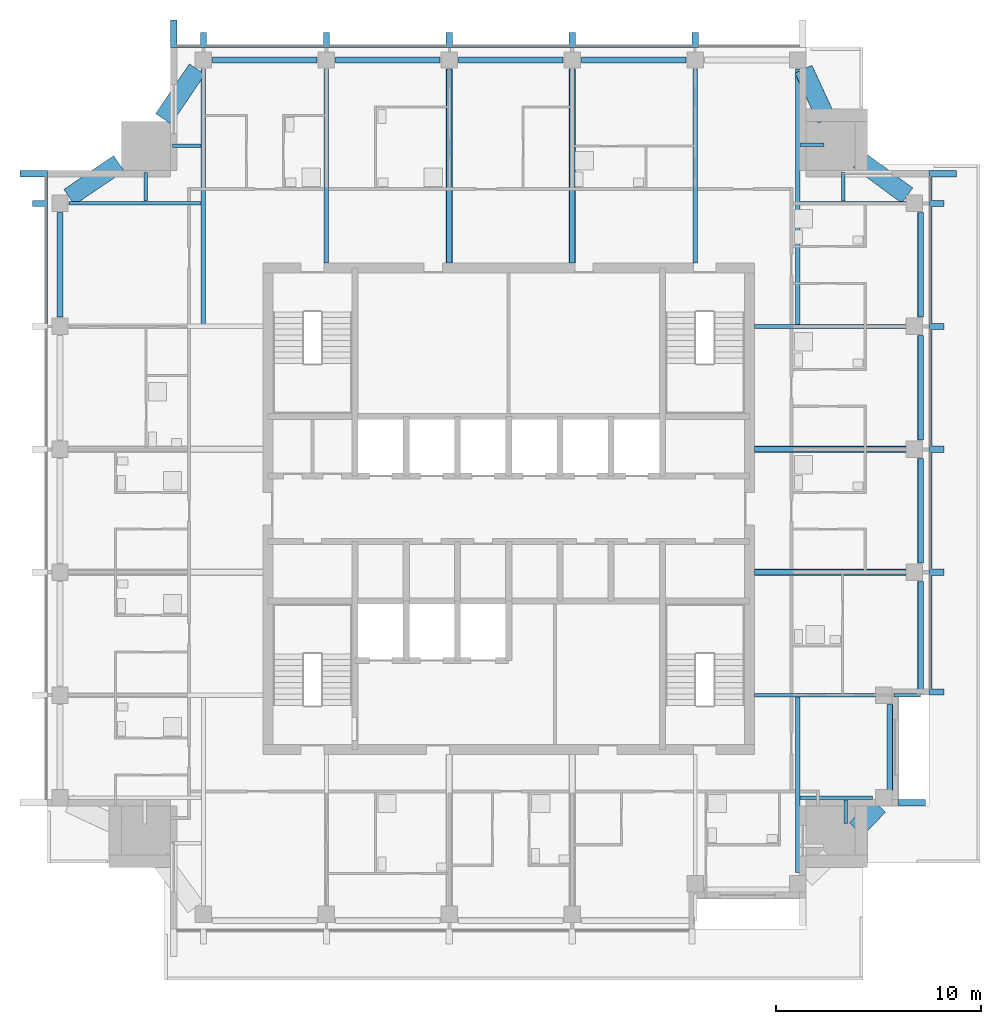
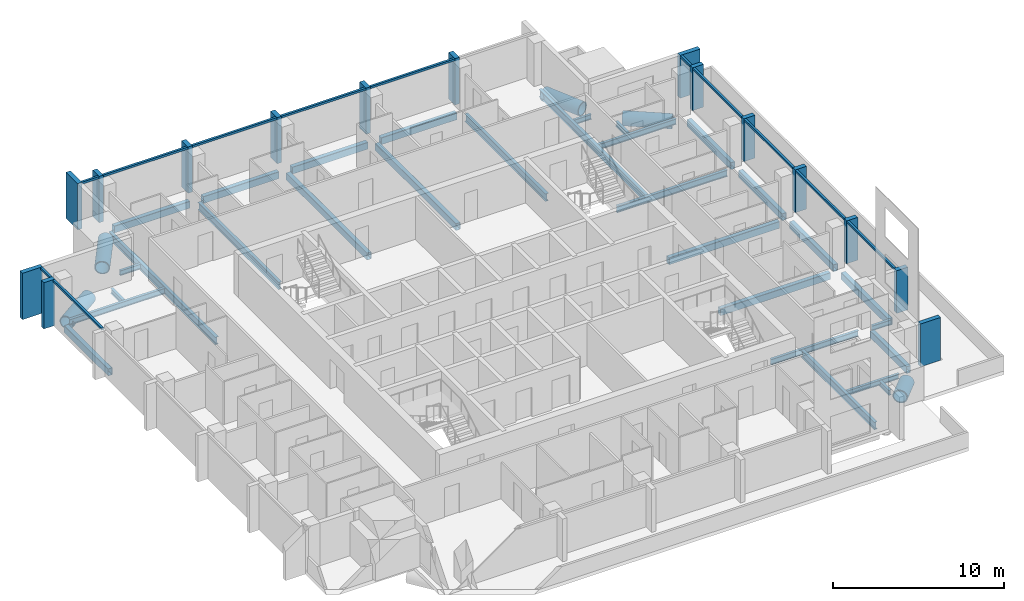
# One storey, part 2 of 11: 35 beams, 27 members, 3 elements without a shape of their own.
"""IFC4 building model written with IfcOpenShell, lengths in metres."""

from ifc_helpers import new_model, si_unit, direction, frame, origin, origin_2d, place, context, subcontext, project, spatial, rectangle, hollow_rectangle, hollow_circle, i_section, extrude, material, material_profile, profile_set, type_object, element, aggregate, save


model = new_model("IFC4")

# Units and contexts
model_context = context("Model", 3, precision=1e-05, world=origin(), true_north=direction((0.0, 1.0)))
body_context = subcontext(model_context, "Body", "Model", "MODEL_VIEW")
ifc_project = project(units=[si_unit("LENGTHUNIT", "METRE"), si_unit("AREAUNIT", "SQUARE_METRE"), si_unit("VOLUMEUNIT", "CUBIC_METRE"), si_unit("PLANEANGLEUNIT", "RADIAN"), si_unit("MASSUNIT", "GRAM", prefix="KILO")], contexts=[model_context])

# Site, building, storey
site_placement = place(None, origin())
site = spatial("IfcSite", under=ifc_project, at=site_placement, CompositionType="ELEMENT")
building_placement = place(site_placement, origin())
building = spatial("IfcBuilding", under=site, at=building_placement, Name="Amberfall Residences", CompositionType="ELEMENT")
storey_placement = place(building_placement, frame((0.0, 0.0, 238.89990234375)))
storey = spatial("IfcBuildingStorey", under=building, at=storey_placement, Name="L63", CompositionType="ELEMENT", Elevation=238.89990234375)

# Beams
ifc_material_1 = material(Name="Steel S355", Category="steel")
ifc_material_profile_1 = material_profile(ifc_material_1, hollow_circle(Radius=0.457275390625, WallThickness=0.06005859375, at=origin_2d()), Name="CHS 914.4x60")
ifc_profile_set_1 = profile_set([ifc_material_profile_1], Name="Steel S355")
beam_type_1 = type_object("IfcBeamType", Name="Belt truss chord BT CHS 914.4x60", PredefinedType="BEAM", material=ifc_profile_set_1)
beam_1_placement = place(storey_placement, frame((91.451904296875, 29.853759765625, -0.70703125), z_axis=(0.693888908821, 0.720082066306, 0.0), x_axis=(-0.720082066306, 0.693888908821, 0.0)))
element("IfcBeam", 1, at=beam_1_placement, inside=storey, type_object=beam_type_1, Name="Belt truss chord BT BT2 L63 50", PredefinedType="BEAM", context=body_context, shape_type="SweptSolid", body=[
    extrude(hollow_circle(Radius=0.457275390625, WallThickness=0.06005859375, at=origin_2d()), origin(), (0.0, 0.0, 1.0), 1.59375),
])
beam_2_placement = place(storey_placement, frame((90.016357421875, 64.502197265625, -0.70703125), z_axis=(-0.419850213165, 0.907593410347, 0.0), x_axis=(-0.907593410347, -0.419850213165, 0.0)))
element("IfcBeam", 2, at=beam_2_placement, inside=storey, type_object=beam_type_1, Name="Belt truss chord BT BT2 L63 51", PredefinedType="BEAM", context=body_context, shape_type="SweptSolid", body=[
    extrude(hollow_circle(Radius=0.457275390625, WallThickness=0.06005859375, at=origin_2d()), origin(), (0.0, 0.0, 1.0), 2.697021484375),
])
beam_3_placement = place(storey_placement, frame((91.593505859375, 62.517578125, -0.70703125), z_axis=(0.805353478169, -0.592794884594, 0.0), x_axis=(0.592794884594, 0.805353478169, 0.0)))
element("IfcBeam", 3, at=beam_3_placement, inside=storey, type_object=beam_type_1, Name="Belt truss chord BT BT2 L63 52", PredefinedType="BEAM", context=body_context, shape_type="SweptSolid", body=[
    extrude(hollow_circle(Radius=0.457275390625, WallThickness=0.06005859375, at=origin_2d()), origin(), (0.0, 0.0, 1.0), 2.926513671875),
])
for number, where, z_axis, x_axis, name in (
    (4, (57.64697265625, 64.520263671875, -0.70703125), (0.561322450198, 0.827597188796, 0.0), (-0.827597188796, 0.561322450198, 0.0), "Belt truss chord BT BT2 L63 53"),
    (5, (55.479736328125, 62.35302734375, -0.70703125), (-0.827597188796, -0.561322450198, 0.0), (0.561322450198, -0.827597188796, 0.0), "Belt truss chord BT BT2 L63 54"),
):
    element("IfcBeam", number, at=place(storey_placement, frame(where, z_axis=z_axis, x_axis=x_axis)), inside=storey, type_object=beam_type_1, Name=name, PredefinedType="BEAM", context=body_context, shape_type="SweptSolid", body=[
        extrude(hollow_circle(Radius=0.457275390625, WallThickness=0.06005859375, at=origin_2d()), origin(), (0.0, 0.0, 1.0), 2.935791015625),
    ])
ifc_material_profile_2 = material_profile(ifc_material_1, hollow_rectangle(XDim=0.300048828125, YDim=0.5, WallThickness=0.01611328125, InnerFilletRadius=0.01611328125, OuterFilletRadius=0.02392578125, at=origin_2d()), Name="RHS 500x300x16")
ifc_profile_set_2 = profile_set([ifc_material_profile_2], Name="Steel S355")
beam_type_2 = type_object("IfcBeamType", Name="Belt truss chord BT RHS 500x300x16", PredefinedType="BEAM", material=ifc_profile_set_2)
beam_4_placement = place(storey_placement, frame((93.10009765625, 31.737548828125, -0.5), z_axis=(0.0, 1.0, 0.0), x_axis=(-1.0, 0.0, 0.0)))
element("IfcBeam", 6, at=beam_4_placement, inside=storey, type_object=beam_type_2, Name="Belt truss chord BT BT1 L63 13", PredefinedType="BEAM", context=body_context, shape_type="SweptSolid", body=[
    extrude(hollow_rectangle(XDim=0.300048828125, YDim=0.5, WallThickness=0.01611328125, InnerFilletRadius=0.01611328125, OuterFilletRadius=0.02392578125, at=origin_2d()), origin(), (0.0, 0.0, 1.0), 4.21240234375),
])
beam_5_placement = place(storey_placement, frame((94.60009765625, 36.47998046875, -0.5), z_axis=(0.0, 1.0, 0.0), x_axis=(-1.0, 0.0, 0.0)))
element("IfcBeam", 7, at=beam_5_placement, inside=storey, type_object=beam_type_2, Name="Belt truss chord BT BT1 L63 14", PredefinedType="BEAM", context=body_context, shape_type="SweptSolid", body=[
    extrude(hollow_rectangle(XDim=0.300048828125, YDim=0.5, WallThickness=0.01611328125, InnerFilletRadius=0.01611328125, OuterFilletRadius=0.02392578125, at=origin_2d()), origin(), (0.0, 0.0, 1.0), 5.469970703125),
])
for number, where, z_axis, x_axis, name in (
    (8, (94.60009765625, 42.85009765625, -0.5), (0.0, 1.0, 0.0), (-1.0, 0.0, 0.0), "Belt truss chord BT BT1 L63 15"),
    (9, (94.60009765625, 48.85009765625, -0.5), (0.0, 1.0, 0.0), (-1.0, 0.0, 0.0), "Belt truss chord BT BT1 L63 16"),
    (10, (94.60009765625, 54.85009765625, -0.5), (0.0, 1.0, 0.0), (-1.0, 0.0, 0.0), "Belt truss chord BT BT1 L63 17"),
    (11, (60.050048828125, 67.39990234375, -0.5), (1.0, 0.0, 0.0), (0.0, 1.0, 0.0), "Belt truss chord BT BT1 L63 25"),
    (12, (66.050048828125, 67.39990234375, -0.5), (1.0, 0.0, 0.0), (0.0, 1.0, 0.0), "Belt truss chord BT BT1 L63 26"),
    (13, (72.050048828125, 67.39990234375, -0.5), (1.0, 0.0, 0.0), (0.0, 1.0, 0.0), "Belt truss chord BT BT1 L63 27"),
    (14, (78.050048828125, 67.39990234375, -0.5), (1.0, 0.0, 0.0), (0.0, 1.0, 0.0), "Belt truss chord BT BT1 L63 28"),
    (15, (52.60009765625, 54.85009765625, -0.5), (0.0, 1.0, 0.0), (-1.0, 0.0, 0.0), "Belt truss chord BT BT1 L63 40"),
):
    element("IfcBeam", number, at=place(storey_placement, frame(where, z_axis=z_axis, x_axis=x_axis)), inside=storey, type_object=beam_type_2, Name=name, PredefinedType="BEAM", context=body_context, shape_type="SweptSolid", body=[
        extrude(hollow_rectangle(XDim=0.300048828125, YDim=0.5, WallThickness=0.01611328125, InnerFilletRadius=0.01611328125, OuterFilletRadius=0.02392578125, at=origin_2d()), origin(), (0.0, 0.0, 1.0), 5.099853515625),
    ])

# Curtain wall, members
ifc_material_2 = material(Name="Bronze anodised aluminium and glass", Category="aluminium")
curtain_wall_type = type_object("IfcCurtainWallType", Name="Curtain wall CW1 tower unit", PredefinedType="USERDEFINED", material=ifc_material_2)
curtain_wall_1_placement = place(storey_placement, origin())
curtain_wall_1 = element("IfcCurtainWall", 16, at=curtain_wall_1_placement, inside=storey, type_object=curtain_wall_type, Name="Curtain wall L63 E E3", ObjectType="UNITISED CURTAIN WALL", PredefinedType="USERDEFINED")
ifc_material_3 = material(Name="Bronze anodised aluminium", Category="aluminium")
ifc_material_profile_3 = material_profile(ifc_material_3, rectangle(XDim=0.14990234375, YDim=0.14990234375, at=origin_2d()), Name="CW1 transom 150 x 150 bronze")
ifc_profile_set_3 = profile_set([ifc_material_profile_3], Name="Bronze anodised aluminium")
member_type_1 = type_object("IfcMemberType", Name="CW1 transom 150 x 150 bronze", PredefinedType="USERDEFINED", material=ifc_profile_set_3)
member_1_placement = place(storey_placement, frame((95.074951171875, 36.699951171875, 2.97509765625), z_axis=(0.0, 1.0, 0.0), x_axis=(-1.0, 0.0, 0.0)))
member_1 = element("IfcMember", 17, at=member_1_placement, type_object=member_type_1, Name="CW1 transom 1.1", ObjectType="TRANSOM", PredefinedType="USERDEFINED", context=body_context, shape_type="SweptSolid", body=[
    extrude(rectangle(XDim=0.14990234375, YDim=0.14990234375, at=origin_2d()), origin(), (0.0, 0.0, 1.0), 5.550048828125),
])
member_2_placement = place(storey_placement, frame((95.074951171875, 42.550048828125, 2.97509765625), z_axis=(0.0, 1.0, 0.0), x_axis=(-1.0, 0.0, 0.0)))
member_2 = element("IfcMember", 18, at=member_2_placement, type_object=member_type_1, Name="CW1 transom 2.1", ObjectType="TRANSOM", PredefinedType="USERDEFINED", context=body_context, shape_type="SweptSolid", body=[
    extrude(rectangle(XDim=0.14990234375, YDim=0.14990234375, at=origin_2d()), origin(), (0.0, 0.0, 1.0), 5.699951171875),
])
member_3_placement = place(storey_placement, frame((95.074951171875, 48.550048828125, 2.97509765625), z_axis=(0.0, 1.0, 0.0), x_axis=(-1.0, 0.0, 0.0)))
member_3 = element("IfcMember", 19, at=member_3_placement, type_object=member_type_1, Name="CW1 transom 3.1", ObjectType="TRANSOM", PredefinedType="USERDEFINED", context=body_context, shape_type="SweptSolid", body=[
    extrude(rectangle(XDim=0.14990234375, YDim=0.14990234375, at=origin_2d()), origin(), (0.0, 0.0, 1.0), 5.699951171875),
])
member_4_placement = place(storey_placement, frame((95.074951171875, 54.550048828125, 2.97509765625), z_axis=(0.0, 1.0, 0.0), x_axis=(-1.0, 0.0, 0.0)))
member_4 = element("IfcMember", 20, at=member_4_placement, type_object=member_type_1, Name="CW1 transom 4.1", ObjectType="TRANSOM", PredefinedType="USERDEFINED", context=body_context, shape_type="SweptSolid", body=[
    extrude(rectangle(XDim=0.14990234375, YDim=0.14990234375, at=origin_2d()), origin(), (0.0, 0.0, 1.0), 5.699951171875),
])
member_5_placement = place(storey_placement, frame((95.074951171875, 60.550048828125, 2.97509765625), z_axis=(0.0, 1.0, 0.0), x_axis=(-1.0, 0.0, 0.0)))
member_5 = element("IfcMember", 21, at=member_5_placement, type_object=member_type_1, Name="CW1 transom 5.1", ObjectType="TRANSOM", PredefinedType="USERDEFINED", context=body_context, shape_type="SweptSolid", body=[
    extrude(rectangle(XDim=0.14990234375, YDim=0.14990234375, at=origin_2d()), origin(), (0.0, 0.0, 1.0), 1.14990234375),
])

curtain_wall_2_placement = place(storey_placement, origin())
curtain_wall_2 = element("IfcCurtainWall", 22, at=curtain_wall_2_placement, inside=storey, type_object=curtain_wall_type, Name="Curtain wall L63 N N1", ObjectType="UNITISED CURTAIN WALL", PredefinedType="USERDEFINED")
member_6_placement = place(storey_placement, frame((83.449951171875, 68.074951171875, 2.97509765625), z_axis=(-1.0, 0.0, 0.0), x_axis=(0.0, -1.0, 0.0)))
member_6 = element("IfcMember", 23, at=member_6_placement, type_object=member_type_1, Name="CW1 transom 2.1", ObjectType="TRANSOM", PredefinedType="USERDEFINED", context=body_context, shape_type="SweptSolid", body=[
    extrude(rectangle(XDim=0.14990234375, YDim=0.14990234375, at=origin_2d()), origin(), (0.0, 0.0, 1.0), 5.699951171875),
])
member_7_placement = place(storey_placement, frame((77.449951171875, 68.074951171875, 2.97509765625), z_axis=(-1.0, 0.0, 0.0), x_axis=(0.0, -1.0, 0.0)))
member_7 = element("IfcMember", 24, at=member_7_placement, type_object=member_type_1, Name="CW1 transom 3.1", ObjectType="TRANSOM", PredefinedType="USERDEFINED", context=body_context, shape_type="SweptSolid", body=[
    extrude(rectangle(XDim=0.14990234375, YDim=0.14990234375, at=origin_2d()), origin(), (0.0, 0.0, 1.0), 5.699951171875),
])
member_8_placement = place(storey_placement, frame((71.449951171875, 68.074951171875, 2.97509765625), z_axis=(-1.0, 0.0, 0.0), x_axis=(0.0, -1.0, 0.0)))
member_8 = element("IfcMember", 25, at=member_8_placement, type_object=member_type_1, Name="CW1 transom 4.1", ObjectType="TRANSOM", PredefinedType="USERDEFINED", context=body_context, shape_type="SweptSolid", body=[
    extrude(rectangle(XDim=0.14990234375, YDim=0.14990234375, at=origin_2d()), origin(), (0.0, 0.0, 1.0), 5.699951171875),
])
member_9_placement = place(storey_placement, frame((65.449951171875, 68.074951171875, 2.97509765625), z_axis=(-1.0, 0.0, 0.0), x_axis=(0.0, -1.0, 0.0)))
member_9 = element("IfcMember", 26, at=member_9_placement, type_object=member_type_1, Name="CW1 transom 5.1", ObjectType="TRANSOM", PredefinedType="USERDEFINED", context=body_context, shape_type="SweptSolid", body=[
    extrude(rectangle(XDim=0.14990234375, YDim=0.14990234375, at=origin_2d()), origin(), (0.0, 0.0, 1.0), 5.699951171875),
])
member_10_placement = place(storey_placement, frame((59.449951171875, 68.074951171875, 2.97509765625), z_axis=(-1.0, 0.0, 0.0), x_axis=(0.0, -1.0, 0.0)))
member_10 = element("IfcMember", 27, at=member_10_placement, type_object=member_type_1, Name="CW1 transom 6.1", ObjectType="TRANSOM", PredefinedType="USERDEFINED", context=body_context, shape_type="SweptSolid", body=[
    extrude(rectangle(XDim=0.14990234375, YDim=0.14990234375, at=origin_2d()), origin(), (0.0, 0.0, 1.0), 1.14990234375),
])

curtain_wall_3_placement = place(storey_placement, origin())
curtain_wall_3 = element("IfcCurtainWall", 28, at=curtain_wall_3_placement, inside=storey, type_object=curtain_wall_type, Name="Curtain wall L63 W W1", ObjectType="UNITISED CURTAIN WALL", PredefinedType="USERDEFINED")
member_11_placement = place(storey_placement, frame((51.925048828125, 61.699951171875, 2.97509765625), z_axis=(0.0, -1.0, 0.0), x_axis=(1.0, 0.0, 0.0)))
member_11 = element("IfcMember", 29, at=member_11_placement, type_object=member_type_1, Name="CW1 transom 1.1", ObjectType="TRANSOM", PredefinedType="USERDEFINED", context=body_context, shape_type="SweptSolid", body=[
    extrude(rectangle(XDim=0.14990234375, YDim=0.14990234375, at=origin_2d()), origin(), (0.0, 0.0, 1.0), 1.14990234375),
])
member_12_placement = place(storey_placement, frame((51.925048828125, 60.25, 2.97509765625), z_axis=(0.0, -1.0, 0.0), x_axis=(1.0, 0.0, 0.0)))
member_12 = element("IfcMember", 30, at=member_12_placement, type_object=member_type_1, Name="CW1 transom 2.1", ObjectType="TRANSOM", PredefinedType="USERDEFINED", context=body_context, shape_type="SweptSolid", body=[
    extrude(rectangle(XDim=0.14990234375, YDim=0.14990234375, at=origin_2d()), origin(), (0.0, 0.0, 1.0), 5.699951171875),
])

# Beam
ifc_material_profile_4 = material_profile(ifc_material_1, i_section(OverallWidth=0.171142578125, OverallDepth=0.351318359375, WebThickness=0.007080078125, FlangeThickness=0.009765625, FilletRadius=0.01025390625, at=origin_2d()), Name="UB 356x171x45")
ifc_profile_set_4 = profile_set([ifc_material_profile_4], Name="Steel S355")
beam_type_3 = type_object("IfcBeamType", Name="Cantilever girder UB 356x171x45", PredefinedType="BEAM", material=ifc_profile_set_4)
beam_6_placement = place(storey_placement, frame((93.30419921875, 36.39990234375, -0.425537109375), z_axis=(1.0, 0.0, 0.0), x_axis=(0.0, 1.0, 0.0)))
element("IfcBeam", 31, at=beam_6_placement, inside=storey, type_object=beam_type_3, Name="Cantilever girder B8 L63 18", PredefinedType="BEAM", context=body_context, shape_type="SweptSolid", body=[
    extrude(i_section(OverallWidth=0.171142578125, OverallDepth=0.351318359375, WebThickness=0.007080078125, FlangeThickness=0.009765625, FilletRadius=0.01025390625, at=origin_2d()), origin(), (0.0, 0.0, 1.0), 1.2958984375),
])

# Member
ifc_material_profile_5 = material_profile(ifc_material_3, rectangle(XDim=1.35009765625, YDim=0.300048828125, at=origin_2d()), Name="Corner fin 300 x 1350 bronze")
ifc_profile_set_5 = profile_set([ifc_material_profile_5], Name="Bronze anodised aluminium")
member_type_2 = type_object("IfcMemberType", Name="Corner fin 300 x 1350 bronze", PredefinedType="MULLION", material=ifc_profile_set_5)
member_13_placement = place(storey_placement, frame((95.675048828125, 61.85009765625, 0.0), z_axis=(0.0, 0.0, 1.0), x_axis=(-1.0, 0.0, 0.0)))
member_13 = element("IfcMember", 32, at=member_13_placement, type_object=member_type_2, Name="CW FIN 6", PredefinedType="MULLION", context=body_context, shape_type="SweptSolid", body=[
    extrude(rectangle(XDim=1.35009765625, YDim=0.300048828125, at=origin_2d()), origin(), (0.0, 0.0, 1.0), 3.050048828125),
])

member_14_placement = place(storey_placement, frame((58.14990234375, 68.675048828125, -0.25), z_axis=(0.0, 0.0, 1.0), x_axis=(0.0, -1.0, 0.0)))
member_14 = element("IfcMember", 33, at=member_14_placement, type_object=member_type_2, Name="CW FIN 7", PredefinedType="MULLION", context=body_context, shape_type="SweptSolid", body=[
    extrude(rectangle(XDim=1.35009765625, YDim=0.300048828125, at=origin_2d()), origin(), (0.0, 0.0, 1.0), 3.300048828125),
])

member_15_placement = place(storey_placement, frame((51.324951171875, 61.85009765625, -0.25), z_axis=(0.0, 0.0, 1.0), x_axis=(1.0, 0.0, 0.0)))
member_15 = element("IfcMember", 34, at=member_15_placement, type_object=member_type_2, Name="CW FIN 1", PredefinedType="MULLION", context=body_context, shape_type="SweptSolid", body=[
    extrude(rectangle(XDim=1.35009765625, YDim=0.300048828125, at=origin_2d()), origin(), (0.0, 0.0, 1.0), 3.300048828125),
])

ifc_material_profile_6 = material_profile(ifc_material_3, rectangle(XDim=0.75, YDim=0.300048828125, at=origin_2d()), Name="Fin 300 x 750 bronze")
ifc_profile_set_6 = profile_set([ifc_material_profile_6], Name="Bronze anodised aluminium")
member_type_3 = type_object("IfcMemberType", Name="Fin 300 x 750 bronze", PredefinedType="MULLION", material=ifc_profile_set_6)
member_16_placement = place(storey_placement, frame((95.375, 36.550048828125, 0.0), z_axis=(0.0, 0.0, 1.0), x_axis=(-1.0, 0.0, 0.0)))
member_16 = element("IfcMember", 35, at=member_16_placement, type_object=member_type_3, Name="CW FIN 1", PredefinedType="MULLION", context=body_context, shape_type="SweptSolid", body=[
    extrude(rectangle(XDim=0.75, YDim=0.300048828125, at=origin_2d()), origin(), (0.0, 0.0, 1.0), 3.050048828125),
])

member_17_placement = place(storey_placement, frame((95.375, 42.39990234375, 0.0), z_axis=(0.0, 0.0, 1.0), x_axis=(-1.0, 0.0, 0.0)))
member_17 = element("IfcMember", 36, at=member_17_placement, type_object=member_type_3, Name="CW FIN 2", PredefinedType="MULLION", context=body_context, shape_type="SweptSolid", body=[
    extrude(rectangle(XDim=0.75, YDim=0.300048828125, at=origin_2d()), origin(), (0.0, 0.0, 1.0), 3.050048828125),
])

member_18_placement = place(storey_placement, frame((95.375, 48.39990234375, 0.0), z_axis=(0.0, 0.0, 1.0), x_axis=(-1.0, 0.0, 0.0)))
member_18 = element("IfcMember", 37, at=member_18_placement, type_object=member_type_3, Name="CW FIN 3", PredefinedType="MULLION", context=body_context, shape_type="SweptSolid", body=[
    extrude(rectangle(XDim=0.75, YDim=0.300048828125, at=origin_2d()), origin(), (0.0, 0.0, 1.0), 3.050048828125),
])

member_19_placement = place(storey_placement, frame((95.375, 54.39990234375, 0.0), z_axis=(0.0, 0.0, 1.0), x_axis=(-1.0, 0.0, 0.0)))
member_19 = element("IfcMember", 38, at=member_19_placement, type_object=member_type_3, Name="CW FIN 4", PredefinedType="MULLION", context=body_context, shape_type="SweptSolid", body=[
    extrude(rectangle(XDim=0.75, YDim=0.300048828125, at=origin_2d()), origin(), (0.0, 0.0, 1.0), 3.050048828125),
])

member_20_placement = place(storey_placement, frame((95.375, 60.39990234375, 0.0), z_axis=(0.0, 0.0, 1.0), x_axis=(-1.0, 0.0, 0.0)))
member_20 = element("IfcMember", 39, at=member_20_placement, type_object=member_type_3, Name="CW FIN 5", PredefinedType="MULLION", context=body_context, shape_type="SweptSolid", body=[
    extrude(rectangle(XDim=0.75, YDim=0.300048828125, at=origin_2d()), origin(), (0.0, 0.0, 1.0), 3.050048828125),
])

aggregate(curtain_wall_1, [member_16, member_17, member_18, member_19, member_20, member_13, member_1, member_2, member_3, member_4, member_5])

member_21_placement = place(storey_placement, frame((83.60009765625, 68.375, -0.25), z_axis=(0.0, 0.0, 1.0), x_axis=(0.0, -1.0, 0.0)))
member_21 = element("IfcMember", 40, at=member_21_placement, type_object=member_type_3, Name="CW FIN 2", PredefinedType="MULLION", context=body_context, shape_type="SweptSolid", body=[
    extrude(rectangle(XDim=0.75, YDim=0.300048828125, at=origin_2d()), origin(), (0.0, 0.0, 1.0), 3.300048828125),
])

member_22_placement = place(storey_placement, frame((77.60009765625, 68.375, -0.25), z_axis=(0.0, 0.0, 1.0), x_axis=(0.0, -1.0, 0.0)))
member_22 = element("IfcMember", 41, at=member_22_placement, type_object=member_type_3, Name="CW FIN 3", PredefinedType="MULLION", context=body_context, shape_type="SweptSolid", body=[
    extrude(rectangle(XDim=0.75, YDim=0.300048828125, at=origin_2d()), origin(), (0.0, 0.0, 1.0), 3.300048828125),
])

member_23_placement = place(storey_placement, frame((71.60009765625, 68.375, -0.25), z_axis=(0.0, 0.0, 1.0), x_axis=(0.0, -1.0, 0.0)))
member_23 = element("IfcMember", 42, at=member_23_placement, type_object=member_type_3, Name="CW FIN 4", PredefinedType="MULLION", context=body_context, shape_type="SweptSolid", body=[
    extrude(rectangle(XDim=0.75, YDim=0.300048828125, at=origin_2d()), origin(), (0.0, 0.0, 1.0), 3.300048828125),
])

member_24_placement = place(storey_placement, frame((65.60009765625, 68.375, -0.25), z_axis=(0.0, 0.0, 1.0), x_axis=(0.0, -1.0, 0.0)))
member_24 = element("IfcMember", 43, at=member_24_placement, type_object=member_type_3, Name="CW FIN 5", PredefinedType="MULLION", context=body_context, shape_type="SweptSolid", body=[
    extrude(rectangle(XDim=0.75, YDim=0.300048828125, at=origin_2d()), origin(), (0.0, 0.0, 1.0), 3.300048828125),
])

member_25_placement = place(storey_placement, frame((59.60009765625, 68.375, -0.25), z_axis=(0.0, 0.0, 1.0), x_axis=(0.0, -1.0, 0.0)))
member_25 = element("IfcMember", 44, at=member_25_placement, type_object=member_type_3, Name="CW FIN 6", PredefinedType="MULLION", context=body_context, shape_type="SweptSolid", body=[
    extrude(rectangle(XDim=0.75, YDim=0.300048828125, at=origin_2d()), origin(), (0.0, 0.0, 1.0), 3.300048828125),
])

aggregate(curtain_wall_2, [member_21, member_22, member_23, member_24, member_25, member_14, member_6, member_7, member_8, member_9, member_10])

member_26_placement = place(storey_placement, frame((51.625, 60.39990234375, -0.25), z_axis=(0.0, 0.0, 1.0), x_axis=(1.0, 0.0, 0.0)))
member_26 = element("IfcMember", 45, at=member_26_placement, type_object=member_type_3, Name="CW FIN 2", PredefinedType="MULLION", context=body_context, shape_type="SweptSolid", body=[
    extrude(rectangle(XDim=0.75, YDim=0.300048828125, at=origin_2d()), origin(), (0.0, 0.0, 1.0), 3.300048828125),
])

aggregate(curtain_wall_3, [member_15, member_26, member_11, member_12])

# Beams
ifc_material_profile_7 = material_profile(ifc_material_1, i_section(OverallWidth=0.171142578125, OverallDepth=0.351318359375, WebThickness=0.007080078125, FlangeThickness=0.009765625, FilletRadius=0.01025390625, at=origin_2d()), Name="UB 356x171x45")
ifc_profile_set_7 = profile_set([ifc_material_profile_7], Name="Steel S355")
beam_type_4 = type_object("IfcBeamType", Name="Floor girder UB 356x171x45", PredefinedType="BEAM", material=ifc_profile_set_7)
beam_7_placement = place(storey_placement, frame((92.244384765625, 31.39990234375, -0.425537109375), z_axis=(-1.0, 0.0, 0.0), x_axis=(0.0, -1.0, 0.0)))
element("IfcBeam", 46, at=beam_7_placement, inside=storey, type_object=beam_type_4, Name="Floor girder B11 L63 19", PredefinedType="BEAM", context=body_context, shape_type="SweptSolid", body=[
    extrude(i_section(OverallWidth=0.171142578125, OverallDepth=0.351318359375, WebThickness=0.007080078125, FlangeThickness=0.009765625, FilletRadius=0.01025390625, at=origin_2d()), origin(), (0.0, 0.0, 1.0), 3.5244140625),
])
ifc_material_profile_8 = material_profile(ifc_material_1, i_section(OverallWidth=0.177734375, OverallDepth=0.402587890625, WebThickness=0.0078125, FlangeThickness=0.010986328125, FilletRadius=0.01025390625, at=origin_2d()), Name="UB 406x178x54")
ifc_profile_set_8 = profile_set([ifc_material_profile_8], Name="Steel S355")
beam_type_5 = type_object("IfcBeamType", Name="Floor girder UB 406x178x54", PredefinedType="BEAM", material=ifc_profile_set_8)
beam_8_placement = place(storey_placement, frame((92.3994140625, 36.39990234375, -0.451171875), z_axis=(-1.0, 0.0, 0.0), x_axis=(0.0, -1.0, 0.0)))
element("IfcBeam", 47, at=beam_8_placement, inside=storey, type_object=beam_type_5, Name="Floor girder B4 L63 20", PredefinedType="BEAM", context=body_context, shape_type="SweptSolid", body=[
    extrude(i_section(OverallWidth=0.177734375, OverallDepth=0.402587890625, WebThickness=0.0078125, FlangeThickness=0.010986328125, FilletRadius=0.01025390625, at=origin_2d()), origin(), (0.0, 0.0, 1.0), 5.8994140625),
])
beam_9_placement = place(storey_placement, frame((93.950439453125, 60.39990234375, -0.451171875), z_axis=(-1.0, 0.0, 0.0), x_axis=(0.0, -1.0, 0.0)))
element("IfcBeam", 48, at=beam_9_placement, inside=storey, type_object=beam_type_5, Name="Floor girder B4 L63 24", PredefinedType="BEAM", context=body_context, shape_type="SweptSolid", body=[
    extrude(i_section(OverallWidth=0.177734375, OverallDepth=0.402587890625, WebThickness=0.0078125, FlangeThickness=0.010986328125, FilletRadius=0.01025390625, at=origin_2d()), origin(), (0.0, 0.0, 1.0), 5.23046875),
])
beam_10_placement = place(storey_placement, frame((53.050048828125, 60.39990234375, -0.451171875), z_axis=(1.0, 0.0, 0.0), x_axis=(0.0, 1.0, 0.0)))
element("IfcBeam", 49, at=beam_10_placement, inside=storey, type_object=beam_type_5, Name="Floor girder B4 L63 46", PredefinedType="BEAM", context=body_context, shape_type="SweptSolid", body=[
    extrude(i_section(OverallWidth=0.177734375, OverallDepth=0.402587890625, WebThickness=0.0078125, FlangeThickness=0.010986328125, FilletRadius=0.01025390625, at=origin_2d()), origin(), (0.0, 0.0, 1.0), 6.429931640625),
])
ifc_material_profile_9 = material_profile(ifc_material_1, i_section(OverallWidth=0.19140625, OverallDepth=0.4599609375, WebThickness=0.010009765625, FlangeThickness=0.01611328125, FilletRadius=0.01025390625, at=origin_2d()), Name="UB 457x191x82")
ifc_profile_set_9 = profile_set([ifc_material_profile_9], Name="Steel S355")
beam_type_6 = type_object("IfcBeamType", Name="Floor girder UB 457x191x82", PredefinedType="BEAM", material=ifc_profile_set_9)
beam_11_placement = place(storey_placement, frame((93.950439453125, 54.39990234375, -0.47998046875), z_axis=(-1.0, 0.0, 0.0), x_axis=(0.0, -1.0, 0.0)))
element("IfcBeam", 50, at=beam_11_placement, inside=storey, type_object=beam_type_6, Name="Floor girder B10 L63 23", PredefinedType="BEAM", context=body_context, shape_type="SweptSolid", body=[
    extrude(i_section(OverallWidth=0.19140625, OverallDepth=0.4599609375, WebThickness=0.010009765625, FlangeThickness=0.01611328125, FilletRadius=0.01025390625, at=origin_2d()), origin(), (0.0, 0.0, 1.0), 7.450439453125),
])
ifc_material_profile_10 = material_profile(ifc_material_1, i_section(OverallWidth=0.210693359375, OverallDepth=0.53955078125, WebThickness=0.01171875, FlangeThickness=0.018798828125, FilletRadius=0.0126953125, at=origin_2d()), Name="UB 533x210x109")
ifc_profile_set_10 = profile_set([ifc_material_profile_10], Name="Steel S355")
beam_type_7 = type_object("IfcBeamType", Name="Floor girder UB 533x210x109", PredefinedType="BEAM", material=ifc_profile_set_10)
beam_12_placement = place(storey_placement, frame((59.60009765625, 66.949951171875, -0.51953125), z_axis=(0.0, -1.0, 0.0), x_axis=(1.0, 0.0, 0.0)))
element("IfcBeam", 51, at=beam_12_placement, inside=storey, type_object=beam_type_7, Name="Floor girder B2 L63 30", PredefinedType="BEAM", context=body_context, shape_type="SweptSolid", body=[
    extrude(i_section(OverallWidth=0.210693359375, OverallDepth=0.53955078125, WebThickness=0.01171875, FlangeThickness=0.018798828125, FilletRadius=0.0126953125, at=origin_2d()), origin(), (0.0, 0.0, 1.0), 12.450439453125),
])
beam_13_placement = place(storey_placement, frame((88.60009765625, 66.949951171875, -0.51953125), z_axis=(0.0, -1.0, 0.0), x_axis=(1.0, 0.0, 0.0)))
element("IfcBeam", 52, at=beam_13_placement, inside=storey, type_object=beam_type_7, Name="Floor girder B2 L63 35", PredefinedType="BEAM", context=body_context, shape_type="SweptSolid", body=[
    extrude(i_section(OverallWidth=0.210693359375, OverallDepth=0.53955078125, WebThickness=0.01171875, FlangeThickness=0.018798828125, FilletRadius=0.0126953125, at=origin_2d()), origin(), (0.0, 0.0, 1.0), 12.45947265625),
])
ifc_material_profile_11 = material_profile(ifc_material_1, i_section(OverallWidth=0.209228515625, OverallDepth=0.533203125, WebThickness=0.010009765625, FlangeThickness=0.015625, FilletRadius=0.0126953125, at=origin_2d()), Name="UB 533x210x92")
ifc_profile_set_11 = profile_set([ifc_material_profile_11], Name="Steel S355")
beam_type_8 = type_object("IfcBeamType", Name="Floor girder UB 533x210x92", PredefinedType="BEAM", material=ifc_profile_set_11)
beam_14_placement = place(storey_placement, frame((88.60009765625, 27.755615234375, -0.516357421875), z_axis=(0.0, 1.0, 0.0), x_axis=(-1.0, 0.0, 0.0)))
element("IfcBeam", 53, at=beam_14_placement, inside=storey, type_object=beam_type_8, Name="Floor girder B3 L63 12", PredefinedType="BEAM", context=body_context, shape_type="SweptSolid", body=[
    extrude(i_section(OverallWidth=0.209228515625, OverallDepth=0.533203125, WebThickness=0.010009765625, FlangeThickness=0.015625, FilletRadius=0.0126953125, at=origin_2d()), origin(), (0.0, 0.0, 1.0), 8.560546875),
])
for number, where, z_axis, x_axis, name in (
    (54, (65.60009765625, 66.949951171875, -0.516357421875), (0.0, -1.0, 0.0), (1.0, 0.0, 0.0), "Floor girder B3 L63 31"),
    (55, (83.60009765625, 66.949951171875, -0.516357421875), (0.0, -1.0, 0.0), (1.0, 0.0, 0.0), "Floor girder B3 L63 34"),
):
    element("IfcBeam", number, at=place(storey_placement, frame(where, z_axis=z_axis, x_axis=x_axis)), inside=storey, type_object=beam_type_8, Name=name, PredefinedType="BEAM", context=body_context, shape_type="SweptSolid", body=[
        extrude(i_section(OverallWidth=0.209228515625, OverallDepth=0.533203125, WebThickness=0.010009765625, FlangeThickness=0.015625, FilletRadius=0.0126953125, at=origin_2d()), origin(), (0.0, 0.0, 1.0), 9.449951171875),
    ])
ifc_material_profile_12 = material_profile(ifc_material_1, i_section(OverallWidth=0.171142578125, OverallDepth=0.351318359375, WebThickness=0.007080078125, FlangeThickness=0.009765625, FilletRadius=0.01025390625, at=origin_2d()), Name="UB 356x171x45")
ifc_profile_set_12 = profile_set([ifc_material_profile_12], Name="Steel S355")
beam_type_9 = type_object("IfcBeamType", Name="Link beam UB 356x171x45", PredefinedType="BEAM", material=ifc_profile_set_12)
beam_15_placement = place(storey_placement, frame((90.94921875, 30.135498046875, -0.425537109375), z_axis=(0.0, 1.0, 0.0), x_axis=(-1.0, 0.0, 0.0)))
element("IfcBeam", 56, at=beam_15_placement, inside=storey, type_object=beam_type_9, Name="Link beam B7 L63 58", PredefinedType="BEAM", context=body_context, shape_type="SweptSolid", body=[
    extrude(i_section(OverallWidth=0.171142578125, OverallDepth=0.351318359375, WebThickness=0.007080078125, FlangeThickness=0.009765625, FilletRadius=0.01025390625, at=origin_2d()), origin(), (0.0, 0.0, 1.0), 1.159423828125),
])
beam_16_placement = place(storey_placement, frame((89.893798828125, 63.26171875, -0.425537109375), z_axis=(-1.0, 0.0, 0.0), x_axis=(0.0, -1.0, 0.0)))
element("IfcBeam", 57, at=beam_16_placement, inside=storey, type_object=beam_type_9, Name="Link beam B7 L63 59", PredefinedType="BEAM", context=body_context, shape_type="SweptSolid", body=[
    extrude(i_section(OverallWidth=0.171142578125, OverallDepth=0.351318359375, WebThickness=0.007080078125, FlangeThickness=0.009765625, FilletRadius=0.01025390625, at=origin_2d()), origin(), (0.0, 0.0, 1.0), 1.188720703125),
])
beam_17_placement = place(storey_placement, frame((90.832763671875, 61.901123046875, -0.425537109375), z_axis=(0.0, -1.0, 0.0), x_axis=(1.0, 0.0, 0.0)))
element("IfcBeam", 58, at=beam_17_placement, inside=storey, type_object=beam_type_9, Name="Link beam B7 L63 60", PredefinedType="BEAM", context=body_context, shape_type="SweptSolid", body=[
    extrude(i_section(OverallWidth=0.171142578125, OverallDepth=0.351318359375, WebThickness=0.007080078125, FlangeThickness=0.009765625, FilletRadius=0.01025390625, at=origin_2d()), origin(), (0.0, 0.0, 1.0), 1.39599609375),
])
for number, where, z_axis, x_axis, name in (
    (59, (58.0830078125, 63.2197265625, -0.425537109375), (1.0, 0.0, 0.0), (0.0, 1.0, 0.0), "Link beam B7 L63 61"),
    (60, (56.7802734375, 61.9169921875, -0.425537109375), (0.0, -1.0, 0.0), (1.0, 0.0, 0.0), "Link beam B7 L63 62"),
):
    element("IfcBeam", number, at=place(storey_placement, frame(where, z_axis=z_axis, x_axis=x_axis)), inside=storey, type_object=beam_type_9, Name=name, PredefinedType="BEAM", context=body_context, shape_type="SweptSolid", body=[
        extrude(i_section(OverallWidth=0.171142578125, OverallDepth=0.351318359375, WebThickness=0.007080078125, FlangeThickness=0.009765625, FilletRadius=0.01025390625, at=origin_2d()), origin(), (0.0, 0.0, 1.0), 1.411865234375),
    ])
ifc_material_profile_13 = material_profile(ifc_material_1, hollow_rectangle(XDim=0.300048828125, YDim=0.5, WallThickness=0.01611328125, InnerFilletRadius=0.01611328125, OuterFilletRadius=0.02392578125, at=origin_2d()), Name="RHS 500x300x16")
ifc_profile_set_13 = profile_set([ifc_material_profile_13], Name="Steel S355")
beam_type_10 = type_object("IfcBeamType", Name="Outrigger truss chord OT RHS 500x300x16", PredefinedType="BEAM", material=ifc_profile_set_13)
beam_18_placement = place(storey_placement, frame((93.8994140625, 42.39990234375, -0.5), z_axis=(-1.0, 0.0, 0.0), x_axis=(0.0, -1.0, 0.0)))
element("IfcBeam", 61, at=beam_18_placement, inside=storey, type_object=beam_type_10, Name="Outrigger truss chord OT OT1 L63 21", PredefinedType="BEAM", context=body_context, shape_type="SweptSolid", body=[
    extrude(hollow_rectangle(XDim=0.300048828125, YDim=0.5, WallThickness=0.01611328125, InnerFilletRadius=0.01611328125, OuterFilletRadius=0.02392578125, at=origin_2d()), origin(), (0.0, 0.0, 1.0), 7.3994140625),
])
beam_19_placement = place(storey_placement, frame((93.950439453125, 48.39990234375, -0.5), z_axis=(-1.0, 0.0, 0.0), x_axis=(0.0, -1.0, 0.0)))
element("IfcBeam", 62, at=beam_19_placement, inside=storey, type_object=beam_type_10, Name="Outrigger truss chord OT OT1 L63 22", PredefinedType="BEAM", context=body_context, shape_type="SweptSolid", body=[
    extrude(hollow_rectangle(XDim=0.300048828125, YDim=0.5, WallThickness=0.01611328125, InnerFilletRadius=0.01611328125, OuterFilletRadius=0.02392578125, at=origin_2d()), origin(), (0.0, 0.0, 1.0), 7.450439453125),
])
for number, where, z_axis, x_axis, name in (
    (63, (71.60009765625, 66.949951171875, -0.5), (0.0, -1.0, 0.0), (1.0, 0.0, 0.0), "Outrigger truss chord OT OT1 L63 32"),
    (64, (77.60009765625, 66.949951171875, -0.5), (0.0, -1.0, 0.0), (1.0, 0.0, 0.0), "Outrigger truss chord OT OT1 L63 33"),
):
    element("IfcBeam", number, at=place(storey_placement, frame(where, z_axis=z_axis, x_axis=x_axis)), inside=storey, type_object=beam_type_10, Name=name, PredefinedType="BEAM", context=body_context, shape_type="SweptSolid", body=[
        extrude(hollow_rectangle(XDim=0.300048828125, YDim=0.5, WallThickness=0.01611328125, InnerFilletRadius=0.01611328125, OuterFilletRadius=0.02392578125, at=origin_2d()), origin(), (0.0, 0.0, 1.0), 9.449951171875),
    ])

# Member
ifc_material_profile_14 = material_profile(ifc_material_3, rectangle(XDim=1.35009765625, YDim=0.300048828125, at=origin_2d()), Name="Stone corner fin 300 x 1350 bronze")
ifc_profile_set_14 = profile_set([ifc_material_profile_14], Name="Bronze anodised aluminium")
member_type_4 = type_object("IfcMemberType", Name="Stone corner fin 300 x 1350 bronze", PredefinedType="MEMBER", material=ifc_profile_set_14)
member_27_placement = place(storey_placement, frame((94.175048828125, 31.14990234375, 0.0), z_axis=(0.0, 0.0, 1.0), x_axis=(-1.0, 0.0, 0.0)))
element("IfcMember", 65, at=member_27_placement, inside=storey, type_object=member_type_4, Name="Corner fin E", PredefinedType="MEMBER", context=body_context, shape_type="SweptSolid", body=[
    extrude(rectangle(XDim=1.35009765625, YDim=0.300048828125, at=origin_2d()), origin(), (0.0, 0.0, 1.0), 3.050048828125),
])

save(model, "model.ifc")
